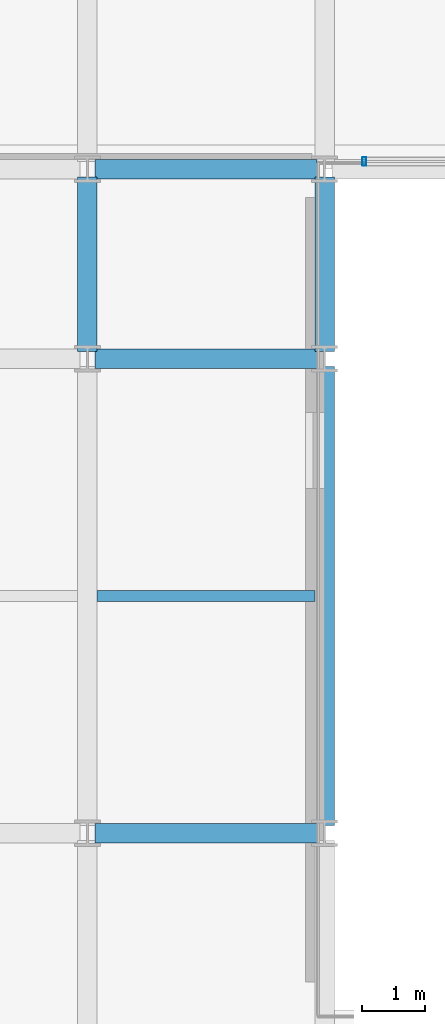
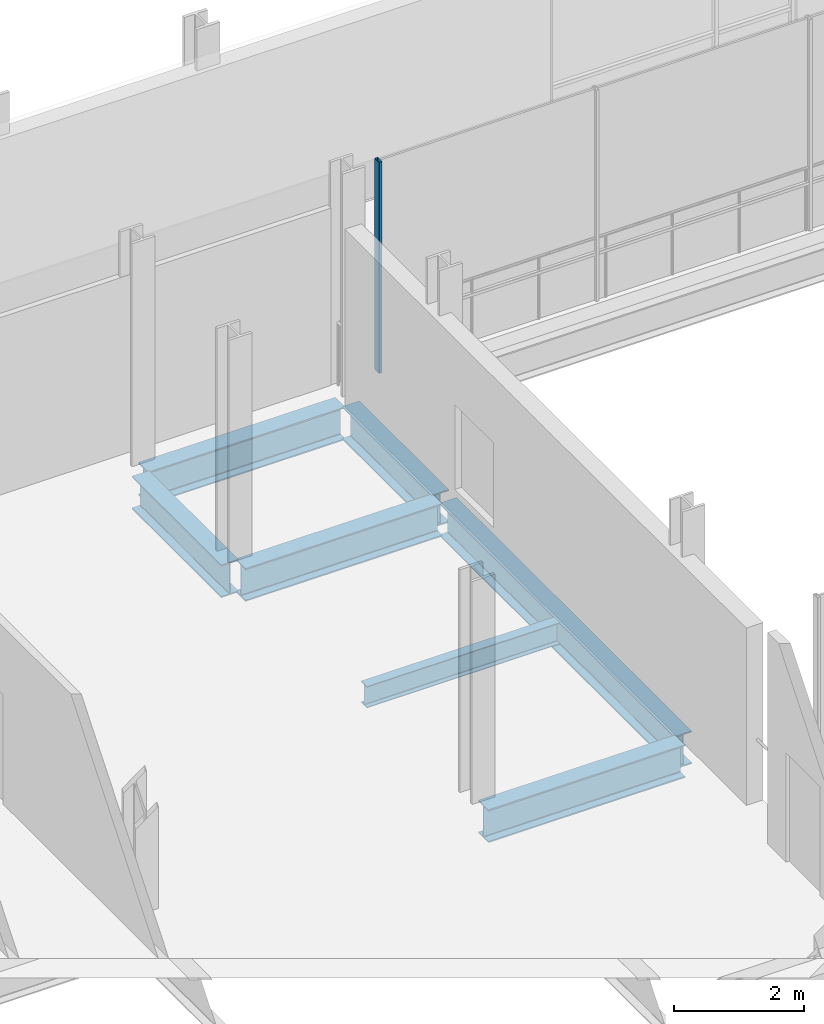
# One storey, part 8 of 32: 7 beams, 1 member, 1 element without a shape of its own.
"""IFC4 building model written with IfcOpenShell, lengths in metres."""

from ifc_helpers import new_model, si_unit, direction, frame, origin, origin_2d, place, context, subcontext, project, spatial, hollow_rectangle, i_section, extrude, material, layer, layer_set, material_profile, profile_set, type_object, element, aggregate, save


model = new_model("IFC4")

# Units and contexts
model_context = context("Model", 3, precision=1e-05, world=origin(), true_north=direction((0.0, 1.0)))
body_context = subcontext(model_context, "Body", "Model", "MODEL_VIEW")
ifc_project = project(units=[si_unit("LENGTHUNIT", "METRE"), si_unit("AREAUNIT", "SQUARE_METRE"), si_unit("VOLUMEUNIT", "CUBIC_METRE"), si_unit("PLANEANGLEUNIT", "RADIAN"), si_unit("MASSUNIT", "GRAM", prefix="KILO")], contexts=[model_context])

# Site, building, storey
site_placement = place(None, origin())
site = spatial("IfcSite", under=ifc_project, at=site_placement, CompositionType="ELEMENT")
building_placement = place(site_placement, origin())
building = spatial("IfcBuilding", under=site, at=building_placement, Name="Brevholm Reach", CompositionType="ELEMENT")
storey_placement = place(building_placement, frame((0.0, 0.0, 134.5)))
storey = spatial("IfcBuildingStorey", under=building, at=storey_placement, Name="L40", CompositionType="ELEMENT", Elevation=134.5)

# Beams
ifc_material_1 = material(Name="Structural Steel S355J2", Category="steel")
ifc_material_profile_1 = material_profile(ifc_material_1, i_section(OverallWidth=0.177978515625, OverallDepth=0.406494140625, WebThickness=0.0078125, FlangeThickness=0.0126953125, FilletRadius=0.01025390625, at=origin_2d()), Name="UKB 406x178x60")
ifc_profile_set_1 = profile_set([ifc_material_profile_1], Name="Structural Steel S355J2")
beam_type_1 = type_object("IfcBeamType", Name="BM-B406", PredefinedType="BEAM", material=ifc_profile_set_1)
beam_1_placement = place(storey_placement, frame((18.153564453125, 19.75, -0.453125), z_axis=(1.0, 0.0, 0.0), x_axis=(0.0, 1.0, 0.0)))
element("IfcBeam", 1, at=beam_1_placement, inside=storey, type_object=beam_type_1, Name="L40 Composite Secondary Floor Beam", PredefinedType="BEAM", context=body_context, shape_type="SweptSolid", body=[
    extrude(i_section(OverallWidth=0.177978515625, OverallDepth=0.406494140625, WebThickness=0.0078125, FlangeThickness=0.0126953125, FilletRadius=0.01025390625, at=origin_2d()), origin(), (0.0, 0.0, 1.0), 3.44287109375),
])
ifc_material_2 = material(Name="Structural Steel S355J2", Category="steel")
ifc_material_profile_2 = material_profile(ifc_material_2, i_section(OverallWidth=0.30712890625, OverallDepth=0.6201171875, WebThickness=0.01416015625, FlangeThickness=0.023681640625, FilletRadius=0.0166015625, at=origin_2d()), Name="UKB 610x305x179")
ifc_profile_set_2 = profile_set([ifc_material_profile_2], Name="Structural Steel S355J2")
beam_type_2 = type_object("IfcBeamType", Name="BM-UKB610H", PredefinedType="USERDEFINED", material=ifc_profile_set_2)
for number, where, z_axis, x_axis, name in (
    (2, (18.1201171875, 16.0, -0.56005859375), (1.0, 0.0, 0.0), (0.0, 1.0, 0.0), "L40 G-06 Framing Beam"),
    (3, (18.1201171875, 23.5, -0.56005859375), (1.0, 0.0, 0.0), (0.0, 1.0, 0.0), "L40 G-06 Framing Beam"),
    (4, (18.1201171875, 26.5, -0.56005859375), (1.0, 0.0, 0.0), (0.0, 1.0, 0.0), "L40 G-06 Framing Beam"),
):
    element("IfcBeam", number, at=place(storey_placement, frame(where, z_axis=z_axis, x_axis=x_axis)), inside=storey, type_object=beam_type_2, Name=name, ObjectType="GIRDER", PredefinedType="USERDEFINED", context=body_context, shape_type="SweptSolid", body=[
        extrude(i_section(OverallWidth=0.30712890625, OverallDepth=0.6201171875, WebThickness=0.01416015625, FlangeThickness=0.023681640625, FilletRadius=0.0166015625, at=origin_2d()), origin(), (0.0, 0.0, 1.0), 3.509765625),
    ])
beam_2_placement = place(storey_placement, frame((18.0, 23.6201171875, -0.56005859375), z_axis=(0.0, 1.0, 0.0), x_axis=(-1.0, 0.0, 0.0)))
element("IfcBeam", 5, at=beam_2_placement, inside=storey, type_object=beam_type_2, Name="L40 G-06 Framing Beam", ObjectType="GIRDER", PredefinedType="USERDEFINED", context=body_context, shape_type="SweptSolid", body=[
    extrude(i_section(OverallWidth=0.30712890625, OverallDepth=0.6201171875, WebThickness=0.01416015625, FlangeThickness=0.023681640625, FilletRadius=0.0166015625, at=origin_2d()), origin(), (0.0, 0.0, 1.0), 2.759765625),
])
beam_3_placement = place(storey_placement, frame((21.75, 16.1201171875, -0.56005859375), z_axis=(0.0, 1.0, 0.0), x_axis=(-1.0, 0.0, 0.0)))
element("IfcBeam", 6, at=beam_3_placement, inside=storey, type_object=beam_type_2, Name="L40 G-06 Framing Beam", ObjectType="GIRDER", PredefinedType="USERDEFINED", context=body_context, shape_type="SweptSolid", body=[
    extrude(i_section(OverallWidth=0.30712890625, OverallDepth=0.6201171875, WebThickness=0.01416015625, FlangeThickness=0.023681640625, FilletRadius=0.0166015625, at=origin_2d()), origin(), (0.0, 0.0, 1.0), 7.259765625),
])
beam_4_placement = place(storey_placement, frame((21.75, 23.6201171875, -0.56005859375), z_axis=(0.0, 1.0, 0.0), x_axis=(-1.0, 0.0, 0.0)))
element("IfcBeam", 7, at=beam_4_placement, inside=storey, type_object=beam_type_2, Name="L40 G-06 Framing Beam", ObjectType="GIRDER", PredefinedType="USERDEFINED", context=body_context, shape_type="SweptSolid", body=[
    extrude(i_section(OverallWidth=0.30712890625, OverallDepth=0.6201171875, WebThickness=0.01416015625, FlangeThickness=0.023681640625, FilletRadius=0.0166015625, at=origin_2d()), origin(), (0.0, 0.0, 1.0), 2.759765625),
])

# Curtain wall, member
ifc_material_3 = material(Name="Dark Anodised Aluminium 6063-T6 and Solar-Control Glass", Category="aluminium")
ifc_layer = layer(ifc_material_3, 0.139892578125)
ifc_layer_set = layer_set([ifc_layer], Name="Dark Anodised Aluminium 6063-T6 and Solar-Control Glass")
curtain_wall_type = type_object("IfcCurtainWallType", Name="CW-02", PredefinedType="NOTDEFINED", material=ifc_layer_set)
curtain_wall_placement = place(storey_placement, origin())
curtain_wall = element("IfcCurtainWall", 8, at=curtain_wall_placement, inside=storey, type_object=curtain_wall_type, Name="L40 Curtain Wall CW-02", PredefinedType="NOTDEFINED")
ifc_material_4 = material(Name="Dark Anodised Aluminium 6063-T6", Category="aluminium")
ifc_material_profile_3 = material_profile(ifc_material_4, hollow_rectangle(XDim=0.06005859375, YDim=0.139892578125, WallThickness=0.0048828125, InnerFilletRadius=0.0048828125, OuterFilletRadius=0.010009765625, at=origin_2d()), Name="RHS 140x60x5")
ifc_profile_set_3 = profile_set([ifc_material_profile_3], Name="Dark Anodised Aluminium 6063-T6")
member_type = type_object("IfcMemberType", Name="CWM-140", PredefinedType="MULLION", material=ifc_profile_set_3)
member_placement = place(storey_placement, frame((22.3798828125, 26.6201171875, 0.0), z_axis=(0.0, 0.0, 1.0), x_axis=(-1.0, 0.0, 0.0)))
member = element("IfcMember", 9, at=member_placement, type_object=member_type, Name="CM-140 Mullion 5", PredefinedType="MULLION", context=body_context, shape_type="SweptSolid", body=[
    extrude(hollow_rectangle(XDim=0.06005859375, YDim=0.139892578125, WallThickness=0.0048828125, InnerFilletRadius=0.0048828125, OuterFilletRadius=0.010009765625, at=origin_2d()), origin(), (0.0, 0.0, 1.0), 3.97998046875),
])
aggregate(curtain_wall, [member])

save(model, "model.ifc")
